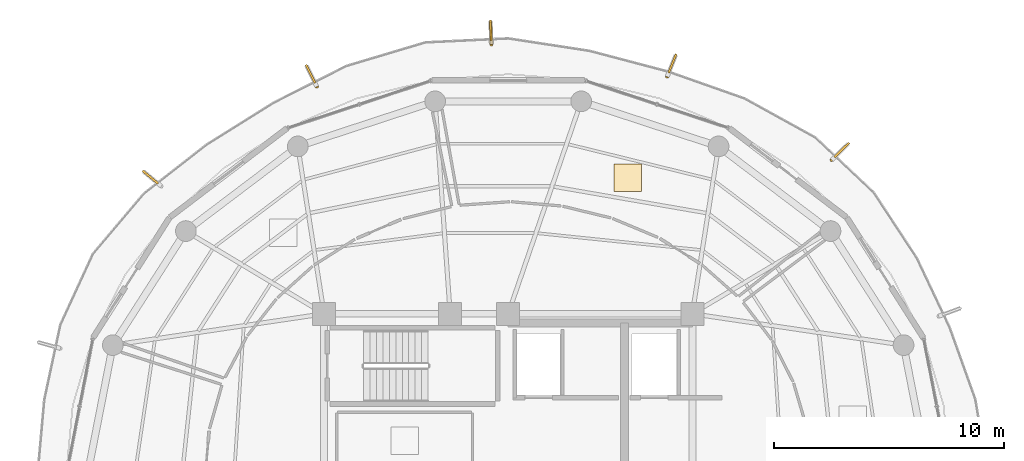
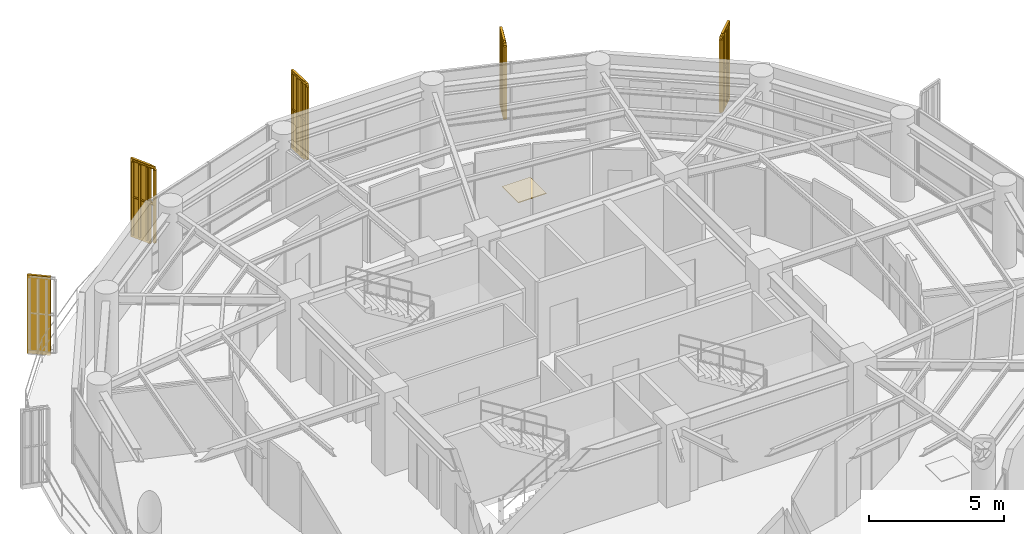
# One storey, part 23 of 23: 5 shading devices, 4 railings, 1 covering.
"""IFC4 building model written with IfcOpenShell, lengths in metres."""

from ifc_helpers import new_model, si_unit, direction, frame, origin, origin_2d, place, context, subcontext, project, spatial, polyline, rectangle, outline, extrude, source, transform, mapped, material, layer, layer_set, type_object, element, save


model = new_model("IFC4")

# Units and contexts
model_context = context("Model", 3, precision=1e-05, world=origin(), true_north=direction((0.0, 1.0)))
body_context = subcontext(model_context, "Body", "Model", "MODEL_VIEW")
ifc_project = project(units=[si_unit("LENGTHUNIT", "METRE"), si_unit("AREAUNIT", "SQUARE_METRE"), si_unit("VOLUMEUNIT", "CUBIC_METRE"), si_unit("PLANEANGLEUNIT", "RADIAN"), si_unit("MASSUNIT", "GRAM", prefix="KILO")], contexts=[model_context])

# Site, building, storey
site_placement = place(None, origin())
site = spatial("IfcSite", under=ifc_project, at=site_placement, CompositionType="ELEMENT")
building_placement = place(site_placement, origin())
building = spatial("IfcBuilding", under=site, at=building_placement, Name="Kelanora Arch Commons", CompositionType="ELEMENT")
storey_placement = place(building_placement, frame((0.0, 0.0, 289.949951171875)))
storey = spatial("IfcBuildingStorey", under=building, at=storey_placement, Name="L74", CompositionType="ELEMENT", Elevation=289.949951171875)

# Railings
ifc_material_1 = material(Name="Anodised bronze vertical shading fin rib assembly")
railing_type = type_object("IfcRailingType", Name="RAIL-FIN-BRZ", PredefinedType="BALUSTRADE", material=ifc_material_1)
railing_1_placement = place(storey_placement, frame((88.055908203125, 71.685302734375, -0.02001953125)))
element("IfcRailing", 1, at=railing_1_placement, inside=storey, type_object=railing_type, Name="Sweeping Bronze Vertical Fin Blade L74-02", PredefinedType="BALUSTRADE", context=body_context, shape_type="SweptSolid", body=[
    extrude(outline(polyline([(0.06982421875, 0.0), (0.034912109375, 0.060546875), (-0.034912109375, 0.060546875), (-0.06982421875, 0.0), (-0.034912109375, -0.060546875), (0.034912109375, -0.060546875), (0.06982421875, 0.0)])), frame((0.0, 0.0, 3.35986328125), z_axis=(0.716417146154, 0.697672181398, 0.0), x_axis=(-0.697672181398, 0.716417146154, 0.0)), (0.0, 0.0, 1.0), 0.95068359375),
    extrude(outline(polyline([(0.06982421875, 0.0), (0.034912109375, 0.060546875), (-0.034912109375, 0.060546875), (-0.06982421875, 0.0), (-0.034912109375, -0.060546875), (0.034912109375, -0.060546875), (0.06982421875, 0.0)])), frame((0.0, 0.0, 1.71484375), z_axis=(0.716417146154, 0.697672181398, 0.0), x_axis=(-0.697672181398, 0.716417146154, 0.0)), (0.0, 0.0, 1.0), 0.95068359375),
    extrude(outline(polyline([(0.080078125, 0.0), (0.0400390625, 0.0693359375), (-0.0400390625, 0.0693359375), (-0.080078125, 0.0), (-0.0400390625, -0.0693359375), (0.0400390625, -0.0693359375), (0.080078125, 0.0)])), origin(), (0.0, 0.0, 1.0), 3.2900390625),
    extrude(outline(polyline([(0.080078125, 0.0), (0.0400390625, 0.0693359375), (-0.0400390625, 0.0693359375), (-0.080078125, 0.0), (-0.0400390625, -0.0693359375), (0.0400390625, -0.0693359375), (0.080078125, 0.0)])), frame((0.22705078125, 0.22119140625, 0.0)), (0.0, 0.0, 1.0), 3.2900390625),
    extrude(outline(polyline([(0.080078125, 0.0), (0.0400390625, 0.0693359375), (-0.0400390625, 0.0693359375), (-0.080078125, 0.0), (-0.0400390625, -0.0693359375), (0.0400390625, -0.0693359375), (0.080078125, 0.0)])), frame((0.4541015625, 0.442138671875, 0.0)), (0.0, 0.0, 1.0), 3.2900390625),
    extrude(outline(polyline([(0.080078125, 0.0), (0.0400390625, 0.0693359375), (-0.0400390625, 0.0693359375), (-0.080078125, 0.0), (-0.0400390625, -0.0693359375), (0.0400390625, -0.0693359375), (0.080078125, 0.0)])), frame((0.68115234375, 0.663330078125, 0.0)), (0.0, 0.0, 1.0), 3.2900390625),
])
railing_2_placement = place(storey_placement, frame((80.90869140625, 75.303466796875, -0.02001953125)))
element("IfcRailing", 2, at=railing_2_placement, inside=storey, type_object=railing_type, Name="Sweeping Bronze Vertical Fin Blade L74-03", PredefinedType="BALUSTRADE", context=body_context, shape_type="SweptSolid", body=[
    extrude(outline(polyline([(0.06982421875, 0.0), (0.034912109375, 0.060546875), (-0.034912109375, 0.060546875), (-0.06982421875, 0.0), (-0.034912109375, -0.060546875), (0.034912109375, -0.060546875), (0.06982421875, 0.0)])), frame((0.0, 0.0, 3.35986328125), z_axis=(0.370859247808, 0.928689085924, 0.0), x_axis=(-0.928689085924, 0.370859247808, 0.0)), (0.0, 0.0, 1.0), 0.95068359375),
    extrude(outline(polyline([(0.06982421875, 0.0), (0.034912109375, 0.060546875), (-0.034912109375, 0.060546875), (-0.06982421875, 0.0), (-0.034912109375, -0.060546875), (0.034912109375, -0.060546875), (0.06982421875, 0.0)])), frame((0.0, 0.0, 1.71484375), z_axis=(0.370859247808, 0.928689085924, 0.0), x_axis=(-0.928689085924, 0.370859247808, 0.0)), (0.0, 0.0, 1.0), 0.95068359375),
    extrude(outline(polyline([(0.080078125, 0.0), (0.0400390625, 0.0693359375), (-0.0400390625, 0.0693359375), (-0.080078125, 0.0), (-0.0400390625, -0.0693359375), (0.0400390625, -0.0693359375), (0.080078125, 0.0)])), origin(), (0.0, 0.0, 1.0), 3.2900390625),
    extrude(outline(polyline([(0.080078125, 0.0), (0.0400390625, 0.0693359375), (-0.0400390625, 0.0693359375), (-0.080078125, 0.0), (-0.0400390625, -0.0693359375), (0.0400390625, -0.0693359375), (0.080078125, 0.0)])), frame((0.117431640625, 0.294189453125, 0.0)), (0.0, 0.0, 1.0), 3.2900390625),
    extrude(outline(polyline([(0.080078125, 0.0), (0.0400390625, 0.0693359375), (-0.0400390625, 0.0693359375), (-0.080078125, 0.0), (-0.0400390625, -0.0693359375), (0.0400390625, -0.0693359375), (0.080078125, 0.0)])), frame((0.235107421875, 0.588623046875, 0.0)), (0.0, 0.0, 1.0), 3.2900390625),
    extrude(outline(polyline([(0.080078125, 0.0), (0.0400390625, 0.0693359375), (-0.0400390625, 0.0693359375), (-0.080078125, 0.0), (-0.0400390625, -0.0693359375), (0.0400390625, -0.0693359375), (0.080078125, 0.0)])), frame((0.3525390625, 0.8828125, 0.0)), (0.0, 0.0, 1.0), 3.2900390625),
])
railing_3_placement = place(storey_placement, frame((73.27001953125, 76.707763671875, -0.02001953125)))
element("IfcRailing", 3, at=railing_3_placement, inside=storey, type_object=railing_type, Name="Sweeping Bronze Vertical Fin Blade L74-04", PredefinedType="BALUSTRADE", context=body_context, shape_type="SweptSolid", body=[
    extrude(outline(polyline([(0.06982421875, 0.0), (0.034912109375, 0.060546875), (-0.034912109375, 0.060546875), (-0.06982421875, 0.0), (-0.034912109375, -0.060546875), (0.034912109375, -0.060546875), (0.06982421875, 0.0)])), frame((0.0, 0.0, 3.35986328125), z_axis=(-0.039034734992, 0.999237854299, 0.0), x_axis=(-0.999237854299, -0.039034734992, 0.0)), (0.0, 0.0, 1.0), 0.95068359375),
    extrude(outline(polyline([(0.06982421875, 0.0), (0.034912109375, 0.060546875), (-0.034912109375, 0.060546875), (-0.06982421875, 0.0), (-0.034912109375, -0.060546875), (0.034912109375, -0.060546875), (0.06982421875, 0.0)])), frame((0.0, 0.0, 1.71484375), z_axis=(-0.039034734992, 0.999237854299, 0.0), x_axis=(-0.999237854299, -0.039034734992, 0.0)), (0.0, 0.0, 1.0), 0.95068359375),
    extrude(outline(polyline([(0.080078125, 0.0), (0.0400390625, 0.0693359375), (-0.0400390625, 0.0693359375), (-0.080078125, 0.0), (-0.0400390625, -0.0693359375), (0.0400390625, -0.0693359375), (0.080078125, 0.0)])), origin(), (0.0, 0.0, 1.0), 3.2900390625),
    extrude(outline(polyline([(0.080078125, 0.0), (0.0400390625, 0.0693359375), (-0.0400390625, 0.0693359375), (-0.080078125, 0.0), (-0.0400390625, -0.0693359375), (0.0400390625, -0.0693359375), (0.080078125, 0.0)])), frame((-0.012451171875, 0.316650390625, 0.0)), (0.0, 0.0, 1.0), 3.2900390625),
    extrude(outline(polyline([(0.080078125, 0.0), (0.0400390625, 0.0693359375), (-0.0400390625, 0.0693359375), (-0.080078125, 0.0), (-0.0400390625, -0.0693359375), (0.0400390625, -0.0693359375), (0.080078125, 0.0)])), frame((-0.024658203125, 0.63330078125, 0.0)), (0.0, 0.0, 1.0), 3.2900390625),
    extrude(outline(polyline([(0.080078125, 0.0), (0.0400390625, 0.0693359375), (-0.0400390625, 0.0693359375), (-0.080078125, 0.0), (-0.0400390625, -0.0693359375), (0.0400390625, -0.0693359375), (0.080078125, 0.0)])), frame((-0.037109375, 0.949951171875, 0.0)), (0.0, 0.0, 1.0), 3.2900390625),
])
railing_4_placement = place(storey_placement, frame((65.685791015625, 74.870361328125, -0.02001953125)))
element("IfcRailing", 4, at=railing_4_placement, inside=storey, type_object=railing_type, Name="Sweeping Bronze Vertical Fin Blade L74-05", PredefinedType="BALUSTRADE", context=body_context, shape_type="SweptSolid", body=[
    extrude(outline(polyline([(0.06982421875, 0.0), (0.034912109375, 0.060546875), (-0.034912109375, 0.060546875), (-0.06982421875, 0.0), (-0.034912109375, -0.060546875), (0.034912109375, -0.060546875), (0.06982421875, 0.0)])), frame((0.0, 0.0, 3.35986328125), z_axis=(-0.441967035317, 0.897031292483, 0.0), x_axis=(-0.897031292483, -0.441967035317, 0.0)), (0.0, 0.0, 1.0), 0.95068359375),
    extrude(outline(polyline([(0.06982421875, 0.0), (0.034912109375, 0.060546875), (-0.034912109375, 0.060546875), (-0.06982421875, 0.0), (-0.034912109375, -0.060546875), (0.034912109375, -0.060546875), (0.06982421875, 0.0)])), frame((0.0, 0.0, 1.71484375), z_axis=(-0.441967035317, 0.897031292483, 0.0), x_axis=(-0.897031292483, -0.441967035317, 0.0)), (0.0, 0.0, 1.0), 0.95068359375),
    extrude(outline(polyline([(0.080078125, 0.0), (0.0400390625, 0.0693359375), (-0.0400390625, 0.0693359375), (-0.080078125, 0.0), (-0.0400390625, -0.0693359375), (0.0400390625, -0.0693359375), (0.080078125, 0.0)])), origin(), (0.0, 0.0, 1.0), 3.2900390625),
    extrude(outline(polyline([(0.080078125, 0.0), (0.0400390625, 0.0693359375), (-0.0400390625, 0.0693359375), (-0.080078125, 0.0), (-0.0400390625, -0.0693359375), (0.0400390625, -0.0693359375), (0.080078125, 0.0)])), frame((-0.14013671875, 0.2841796875, 0.0)), (0.0, 0.0, 1.0), 3.2900390625),
    extrude(outline(polyline([(0.080078125, 0.0), (0.0400390625, 0.0693359375), (-0.0400390625, 0.0693359375), (-0.080078125, 0.0), (-0.0400390625, -0.0693359375), (0.0400390625, -0.0693359375), (0.080078125, 0.0)])), frame((-0.280029296875, 0.568603515625, 0.0)), (0.0, 0.0, 1.0), 3.2900390625),
    extrude(outline(polyline([(0.080078125, 0.0), (0.0400390625, 0.0693359375), (-0.0400390625, 0.0693359375), (-0.080078125, 0.0), (-0.0400390625, -0.0693359375), (0.0400390625, -0.0693359375), (0.080078125, 0.0)])), frame((-0.420166015625, 0.852783203125, 0.0)), (0.0, 0.0, 1.0), 3.2900390625),
])

# Shading devices
ifc_material_2 = material(Name="Terracotta ceramic-clad extruded aluminium fin", Category="masonry")
shading_device_type = type_object("IfcShadingDeviceType", Name="SHD-FIN-FLARE", PredefinedType="USERDEFINED", material=ifc_material_2)
shared_shape_1 = source(origin(), body_context, "Body", "SweptSolid", [
    extrude(rectangle(XDim=0.8798828125, YDim=0.090087890625, at=origin_2d()), origin(), (0.0, 0.0, 1.0), 3.550048828125),
])
for number, where, z_axis, x_axis, name in (
    (5, (88.49658203125, 72.11474609375, -0.14013671875), (0.0, 0.0, 1.0), (0.7165454746, 0.697540380788, 0.0), "Sweeping Terracotta Fin L74-02"),
    (6, (81.13671875, 75.875, -0.14013671875), (0.0, 0.0, 1.0), (0.370881630624, 0.928680147341, 0.0), "Sweeping Terracotta Fin L74-03"),
    (7, (73.245849609375, 77.322509765625, -0.14013671875), (0.0, 0.0, 1.0), (-0.038911016641, 0.999242679625, 0.0), "Sweeping Terracotta Fin L74-04"),
    (8, (65.413818359375, 75.42236328125, -0.14013671875), (0.0, 0.0, 1.0), (-0.441975595633, 0.897027074767, 0.0), "Sweeping Terracotta Fin L74-05"),
    (9, (58.455810546875, 70.934814453125, -0.14013671875), (0.0, 0.0, 1.0), (-0.768730217204, 0.639573180455, 0.0), "Sweeping Terracotta Fin L74-06"),
):
    element("IfcShadingDevice", number, at=place(storey_placement, frame(where, z_axis=z_axis, x_axis=x_axis)), inside=storey, type_object=shading_device_type, Name=name, ObjectType="FIN", PredefinedType="USERDEFINED", context=body_context, shape_type="MappedRepresentation", body=[
        mapped(shared_shape_1, transform((0.0, 0.0, 0.0), scale=1.0)),
    ])

# Covering
ifc_material_3 = material(Name="Polished local granite terrazzo flooring", Category="masonry")
ifc_layer = layer(ifc_material_3, 0.030029296875)
ifc_layer_set = layer_set([ifc_layer], Name="Polished local granite terrazzo flooring")
covering_type = type_object("IfcCoveringType", Name="COV-FLR-TER", PredefinedType="FLOORING", material=ifc_layer_set)
shared_shape_2 = source(origin(), body_context, "Body", "SweptSolid", [
    extrude(rectangle(XDim=1.199951171875, YDim=1.199951171875, at=origin_2d()), origin(), (0.0, 0.0, 1.0), 0.030029296875),
])
covering_placement = place(storey_placement, frame((79.19677734375, 70.904541015625, 0.0), z_axis=(0.0, 0.0, 1.0), x_axis=(1.0, 0.0, 0.0)))
element("IfcCovering", 10, at=covering_placement, inside=storey, type_object=covering_type, Name="Social Sky Lounge L74-06 Terrazzo Finish", PredefinedType="FLOORING", context=body_context, shape_type="MappedRepresentation", body=[
    mapped(shared_shape_2, transform((0.0, 0.0, 0.0), scale=1.0)),
])

save(model, "model.ifc")
